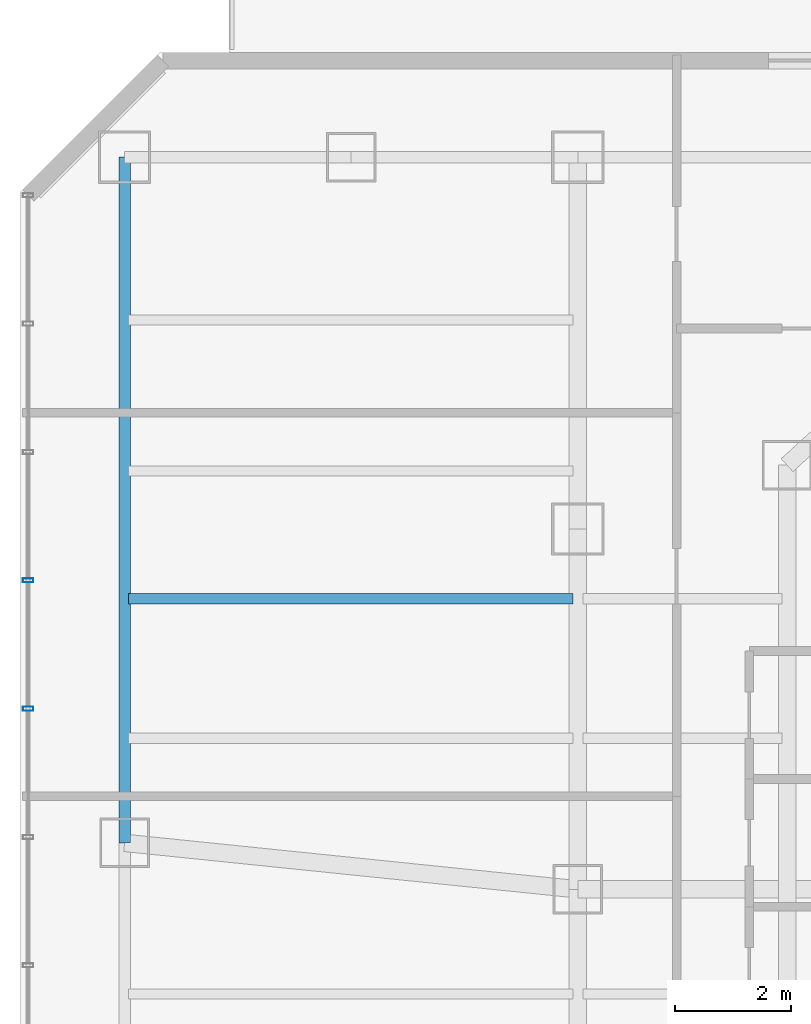
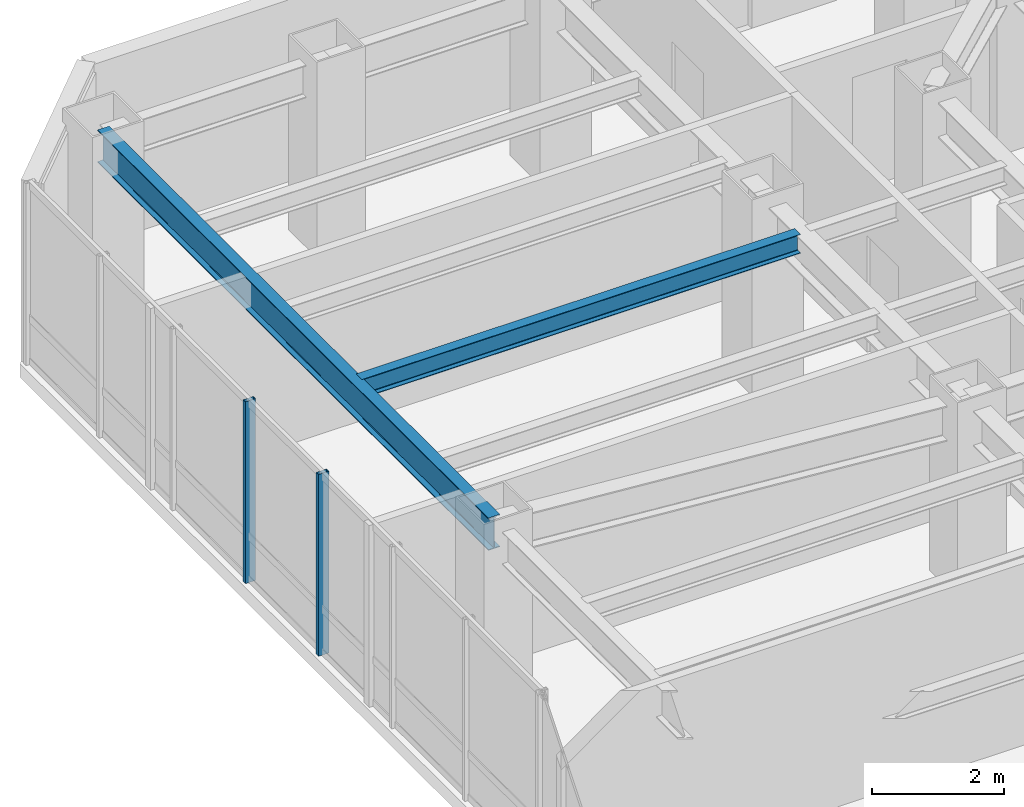
# One storey, part 15 of 31: 2 beams, 2 members, 1 element without a shape of its own.
"""IFC4 building model written with IfcOpenShell, lengths in metres."""

import ifcopenshell
import ifcopenshell.guid

model = None  # the IFC model being written
_history = None  # IfcOwnerHistory: only IFC2X3 demands one
_inside = {}  # id of a spatial element -> (the spatial element, [elements in it])
_under = {}  # id of a project, library or spatial element -> (it, [spatial elements below it])
_declared = {}  # id of a project -> (the project, [libraries it declares])
_typed = {}  # id of a type object -> (the type object, [elements of that type])
_made_of = {}  # id of a material, layer set ... -> (it, [elements and type objects made of it])


def new_model(schema):
    """Start an empty IFC model of exactly this schema.

    Asked for "IFC4X3", IfcOpenShell would pick the latest addendum, in which some entities
    have other attributes; the version numbers below select the first issue.
    IFC2X3 requires an IfcOwnerHistory on every rooted entity: one is made here for all.
    """
    global model, _history
    if schema == "IFC4X3":
        model = ifcopenshell.file(schema_version=(4, 3, 0, 0))
    else:
        model = ifcopenshell.file(schema=schema)
    _inside.clear()
    _under.clear()
    _declared.clear()
    _typed.clear()
    _made_of.clear()
    _history = None
    if model.schema == "IFC2X3":
        org = make("IfcOrganization", Name="unknown")
        user = make(
            "IfcPersonAndOrganization",
            ThePerson=make("IfcPerson", FamilyName="unknown"),
            TheOrganization=org,
        )
        app = make(
            "IfcApplication",
            ApplicationDeveloper=org,
            Version="unknown",
            ApplicationFullName="unknown",
            ApplicationIdentifier="unknown",
        )
        _history = make(
            "IfcOwnerHistory",
            OwningUser=user,
            OwningApplication=app,
            ChangeAction="ADDED",
            CreationDate=0,
        )
    return model


def make(cls, **values):
    """One entity of the class cls with the attributes given. An attribute that is None is left unset."""
    return model.create_entity(
        cls, **{name: value for name, value in values.items() if value is not None}
    )


def rooted(cls, **values):
    """An entity with a GlobalId (a new one), such as an element, a storey or a relation."""
    return make(cls, GlobalId=ifcopenshell.guid.new(), OwnerHistory=_history, **values)


def si_unit(unit_type, name, prefix=None):
    """IfcSIUnit, for example si_unit("LENGTHUNIT", "METRE", prefix="MILLI")."""
    return make("IfcSIUnit", UnitType=unit_type, Prefix=prefix, Name=name)


def assignment(units):
    """IfcUnitAssignment: the units of a project."""
    return None if units is None else make("IfcUnitAssignment", Units=units)


def point(xyz):
    """IfcCartesianPoint."""
    return None if xyz is None else make("IfcCartesianPoint", Coordinates=xyz)


def direction(xyz):
    """IfcDirection."""
    return None if xyz is None else make("IfcDirection", DirectionRatios=xyz)


def frame(location, z_axis=None, x_axis=None):
    """IfcAxis2Placement3D, a coordinate frame: its origin and axes. An axis left out is left unset."""
    return make(
        "IfcAxis2Placement3D",
        Location=point(location),
        Axis=direction(z_axis),
        RefDirection=direction(x_axis),
    )


def frame_2d(location, x_axis=None):
    """IfcAxis2Placement2D, a coordinate frame in the plane: its origin and x axis."""
    return make(
        "IfcAxis2Placement2D", Location=point(location), RefDirection=direction(x_axis)
    )


def origin():
    """The frame at (0, 0, 0) with its axes left unset."""
    return frame((0.0, 0.0, 0.0))


def origin_2d():
    """The frame at (0, 0) in the plane with its x axis left unset."""
    return frame_2d((0.0, 0.0))


def place(relative_to, where):
    """IfcLocalPlacement: puts the frame where relative to a parent placement (None: the world)."""
    return make(
        "IfcLocalPlacement", PlacementRelTo=relative_to, RelativePlacement=where
    )


def context(
    kind, dimensions, precision=None, world=None, true_north=None, identifier=None
):
    """IfcGeometricRepresentationContext, for example the 3D "Model" context."""
    return make(
        "IfcGeometricRepresentationContext",
        ContextIdentifier=identifier,
        ContextType=kind,
        CoordinateSpaceDimension=dimensions,
        Precision=precision,
        WorldCoordinateSystem=world,
        TrueNorth=true_north,
    )


def subcontext(parent, identifier, kind, view, scale=None):
    """IfcGeometricRepresentationSubContext, for example "Body" below "Model"."""
    return make(
        "IfcGeometricRepresentationSubContext",
        ContextIdentifier=identifier,
        ContextType=kind,
        ParentContext=parent,
        TargetScale=scale,
        TargetView=view,
    )


def project(units=None, contexts=None):
    """IfcProject with its units and contexts."""
    return rooted(
        "IfcProject",
        Name="project",
        RepresentationContexts=contexts,
        UnitsInContext=assignment(units),
    )


def spatial(cls, under=None, at=None, **own):
    """A site, building, storey or space (cls), placed at a placement, below another one or the project."""
    s = rooted(cls, ObjectPlacement=at, **own)
    if under is not None:
        _under.setdefault(under.id(), (under, []))[1].append(s)
    return s


def profile(cls, at=None, kind="AREA", **sizes):
    """A parametric profile (cls). Its sizes go by their IFC names, for example OverallWidth=200.0."""
    return make(cls, ProfileType=kind, Position=at, **sizes)


def hollow_rectangle(**sizes):
    """IfcRectangleHollowProfileDef."""
    return profile("IfcRectangleHollowProfileDef", **sizes)


def i_section(**sizes):
    """IfcIShapeProfileDef."""
    return profile("IfcIShapeProfileDef", **sizes)


def extrude(swept, where, along, depth):
    """IfcExtrudedAreaSolid: the profile swept, set in the frame where, extruded along a direction by depth."""
    return make(
        "IfcExtrudedAreaSolid",
        SweptArea=swept,
        Position=where,
        ExtrudedDirection=direction(along),
        Depth=depth,
    )


def shape(context_of_items, identifier, shape_type, items):
    """IfcShapeRepresentation: the items that make up one representation, for example the "Body"."""
    return make(
        "IfcShapeRepresentation",
        ContextOfItems=context_of_items,
        RepresentationIdentifier=identifier,
        RepresentationType=shape_type,
        Items=items,
    )


def material(Name=None, Category=None):
    """IfcMaterial."""
    return make("IfcMaterial", Name=Name, Category=Category)


def layer(
    of_material, thickness, ventilated=None, Name=None, Category=None, Priority=None
):
    """IfcMaterialLayer: one layer of a wall or slab, of a material (None: an air gap)."""
    return make(
        "IfcMaterialLayer",
        Material=of_material,
        LayerThickness=thickness,
        IsVentilated=ventilated,
        Name=Name,
        Category=Category,
        Priority=Priority,
    )


def layer_set(layers, Name=None):
    """IfcMaterialLayerSet."""
    return make("IfcMaterialLayerSet", MaterialLayers=layers, LayerSetName=Name)


def material_profile(
    of_material, cross_section, Name=None, Category=None, Priority=None
):
    """IfcMaterialProfile: a cross section and its material."""
    return make(
        "IfcMaterialProfile",
        Name=Name,
        Material=of_material,
        Profile=cross_section,
        Priority=Priority,
        Category=Category,
    )


def profile_set(profiles, Name=None, composite=None):
    """IfcMaterialProfileSet."""
    return make(
        "IfcMaterialProfileSet",
        Name=Name,
        MaterialProfiles=profiles,
        CompositeProfile=composite,
    )


def made_of(thing, what):
    """Note that an element or type object is made of a material, layer set ...; save() writes the relation."""
    if what is not None:
        _made_of.setdefault(what.id(), (what, []))[1].append(thing)
    return thing


def type_object(cls, material=None, **own):
    """A type object (cls), such as IfcWallType, which elements share."""
    return made_of(rooted(cls, **own), material)


def element(
    cls,
    number,
    at=None,
    inside=None,
    cuts=None,
    type_object=None,
    material=None,
    context=None,
    identifier="Body",
    shape_type=None,
    held_by="IfcProductDefinitionShape",
    body=None,
    shapes=None,
    **own,
):
    """One element of the class cls, such as IfcWall. Its Tag is "e" and its number.

    at: its placement. inside: the storey or other place that contains it. cuts: it is an
    opening in that element (IfcRelVoidsElement). A single representation is given by context,
    identifier, shape_type and body (its items); several are given by shapes. held_by: the class
    of the entity that holds the representations. save() writes the other relations.
    """
    e = rooted(cls, Tag="e%d" % number, ObjectPlacement=at, **own)
    if body is not None:
        shapes = [shape(context, identifier, shape_type, body)]
    if shapes is not None:
        e.Representation = make(held_by, Representations=shapes)
    if inside is not None:
        _inside.setdefault(inside.id(), (inside, []))[1].append(e)
    if cuts is not None:
        rooted(
            "IfcRelVoidsElement", RelatingBuildingElement=cuts, RelatedOpeningElement=e
        )
    if type_object is not None:
        _typed.setdefault(type_object.id(), (type_object, []))[1].append(e)
    return made_of(e, material)


def aggregate(whole, parts):
    """IfcRelAggregates: a whole, such as a stair, and the parts it consists of."""
    return rooted("IfcRelAggregates", RelatingObject=whole, RelatedObjects=parts)


def save(model, path):
    """Write the relations noted so far, then the file.

    IfcRelAggregates (storeys below a building ...), IfcRelContainedInSpatialStructure (elements
    in a storey), IfcRelDefinesByType, IfcRelAssociatesMaterial and IfcRelDeclares: one each for
    every whole, place, type object, material and project.
    """
    for whole, parts in _under.values():
        aggregate(whole, parts)
    for where, things in _inside.values():
        rooted(
            "IfcRelContainedInSpatialStructure",
            RelatedElements=things,
            RelatingStructure=where,
        )
    for kind, things in _typed.values():
        rooted("IfcRelDefinesByType", RelatedObjects=things, RelatingType=kind)
    for what, things in _made_of.values():
        rooted("IfcRelAssociatesMaterial", RelatedObjects=things, RelatingMaterial=what)
    for by, libraries in _declared.values():
        rooted("IfcRelDeclares", RelatingContext=by, RelatedDefinitions=libraries)
    model.write(path)


model = new_model("IFC4")

# Units and contexts
model_context = context("Model", 3, precision=1e-05, world=origin(), true_north=direction((0.0, 1.0)))
body_context = subcontext(model_context, "Body", "Model", "MODEL_VIEW")
ifc_project = project(units=[si_unit("LENGTHUNIT", "METRE"), si_unit("AREAUNIT", "SQUARE_METRE"), si_unit("VOLUMEUNIT", "CUBIC_METRE"), si_unit("PLANEANGLEUNIT", "RADIAN"), si_unit("MASSUNIT", "GRAM", prefix="KILO")], contexts=[model_context])

# Site, building, storey
site_placement = place(None, origin())
site = spatial("IfcSite", under=ifc_project, at=site_placement, CompositionType="ELEMENT")
building_placement = place(site_placement, origin())
building = spatial("IfcBuilding", under=site, at=building_placement, Name="Hatsunagi Terrace Concourse", CompositionType="ELEMENT")
storey_placement = place(building_placement, frame((0.0, 0.0, 122.85009765625)))
storey = spatial("IfcBuildingStorey", under=building, at=storey_placement, Name="L32", CompositionType="ELEMENT", Elevation=122.85009765625)

# Curtain wall, members
ifc_material_1 = material(Name="Anodised Aluminium Alloy 6063-T5", Category="aluminium")
ifc_layer = layer(ifc_material_1, 0.199951171875)
ifc_layer_set = layer_set([ifc_layer], Name="OfficeZone1_CW03")
curtain_wall_type = type_object("IfcCurtainWallType", Name="OfficeZone1_CW03", PredefinedType="NOTDEFINED", material=ifc_layer_set)
curtain_wall_placement = place(storey_placement, origin())
curtain_wall = element("IfcCurtainWall", 1, at=curtain_wall_placement, inside=storey, type_object=curtain_wall_type, Name="Unitised Curtain Wall CW-03 CW-L32-09", PredefinedType="NOTDEFINED")
ifc_material_2 = material(Name="Anodised Aluminium Alloy 6063-T5", Category="aluminium")
ifc_material_profile_1 = material_profile(ifc_material_2, hollow_rectangle(XDim=0.070068359375, YDim=0.179931640625, WallThickness=0.00390625, at=origin_2d()), Name="ALU-MUL-180x70x4")
ifc_profile_set_1 = profile_set([ifc_material_profile_1], Name="Anodised Aluminium Alloy 6063-T5")
member_type = type_object("IfcMemberType", Name="CurtainWallMullion_180x70", PredefinedType="MULLION", material=ifc_profile_set_1)
member_1_placement = place(storey_placement, frame((9.739990234375, 39.10791015625, 0.0), z_axis=(0.0, 0.0, 1.0), x_axis=(0.0, 1.0, 0.0)))
member_1 = element("IfcMember", 2, at=member_1_placement, type_object=member_type, Name="Curtain Wall Mullion MUL-02", PredefinedType="MULLION", context=body_context, shape_type="SweptSolid", body=[
    extrude(hollow_rectangle(XDim=0.070068359375, YDim=0.179931640625, WallThickness=0.00390625, at=origin_2d()), origin(), (0.0, 0.0, 1.0), 3.349853515625),
])
member_2_placement = place(storey_placement, frame((9.739990234375, 41.31689453125, 0.0), z_axis=(0.0, 0.0, 1.0), x_axis=(0.0, 1.0, 0.0)))
member_2 = element("IfcMember", 3, at=member_2_placement, type_object=member_type, Name="Curtain Wall Mullion MUL-02", PredefinedType="MULLION", context=body_context, shape_type="SweptSolid", body=[
    extrude(hollow_rectangle(XDim=0.070068359375, YDim=0.179931640625, WallThickness=0.00390625, at=origin_2d()), origin(), (0.0, 0.0, 1.0), 3.349853515625),
])
aggregate(curtain_wall, [member_1, member_2])

# Beams
ifc_material_3 = material(Name="Steel SN490B", Category="steel")
ifc_material_profile_2 = material_profile(ifc_material_3, i_section(OverallWidth=0.175048828125, OverallDepth=0.35009765625, WebThickness=0.007080078125, FlangeThickness=0.010986328125, FilletRadius=0.012939453125, at=origin_2d()), Name="H-350x175x7x11")
ifc_profile_set_2 = profile_set([ifc_material_profile_2], Name="Steel SN490B")
beam_type_1 = type_object("IfcBeamType", Name="HotelJoist_H_350x175", PredefinedType="JOIST", material=ifc_profile_set_2)
beam_1_placement = place(storey_placement, frame((11.465087890625, 41.0, 3.1748046875), z_axis=(1.0, 0.0, 0.0), x_axis=(0.0, 1.0, 0.0)))
element("IfcBeam", 4, at=beam_1_placement, inside=storey, type_object=beam_type_1, Name="Beam J-02 J-L32-W-11-410", PredefinedType="JOIST", context=body_context, shape_type="SweptSolid", body=[
    extrude(i_section(OverallWidth=0.175048828125, OverallDepth=0.35009765625, WebThickness=0.007080078125, FlangeThickness=0.010986328125, FilletRadius=0.012939453125, at=origin_2d()), origin(), (0.0, 0.0, 1.0), 7.64990234375),
])
ifc_material_4 = material(Name="Steel SN490B", Category="steel")
ifc_material_profile_3 = material_profile(ifc_material_4, i_section(OverallWidth=0.199951171875, OverallDepth=0.60009765625, WebThickness=0.010986328125, FlangeThickness=0.01708984375, FilletRadius=0.01806640625, at=origin_2d()), Name="H-600x200x11x17")
ifc_profile_set_3 = profile_set([ifc_material_profile_3], Name="Steel SN490B")
beam_type_2 = type_object("IfcBeamType", Name="PerimeterSpandrel_H_600x200", PredefinedType="SPANDREL", material=ifc_profile_set_3)
beam_2_placement = place(storey_placement, frame((11.39990234375, 36.800048828125, 3.0498046875), z_axis=(0.0, 1.0, 0.0), x_axis=(-1.0, 0.0, 0.0)))
element("IfcBeam", 5, at=beam_2_placement, inside=storey, type_object=beam_type_2, Name="Beam SP-01 BM-L32-NS-11-36", PredefinedType="SPANDREL", context=body_context, shape_type="SweptSolid", body=[
    extrude(i_section(OverallWidth=0.199951171875, OverallDepth=0.60009765625, WebThickness=0.010986328125, FlangeThickness=0.01708984375, FilletRadius=0.01806640625, at=origin_2d()), origin(), (0.0, 0.0, 1.0), 11.800048828125),
])

save(model, "model.ifc")
